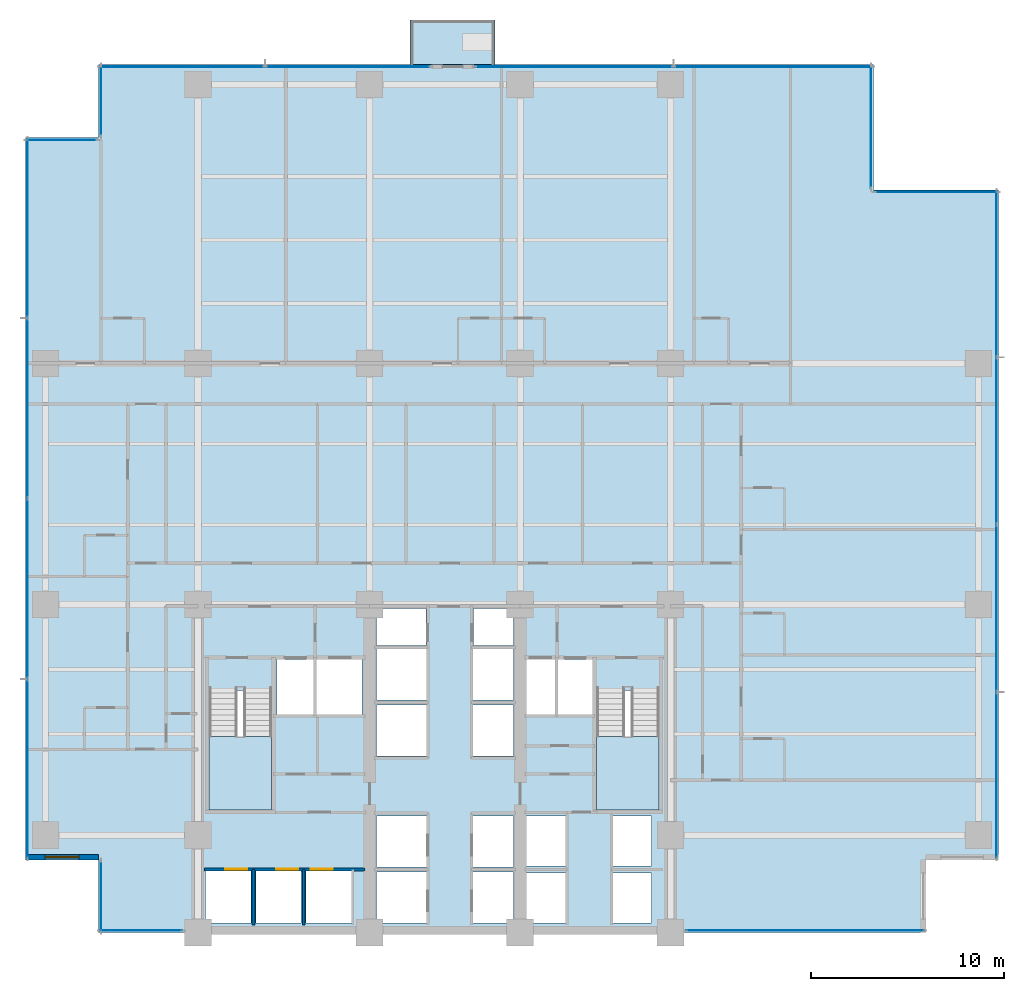
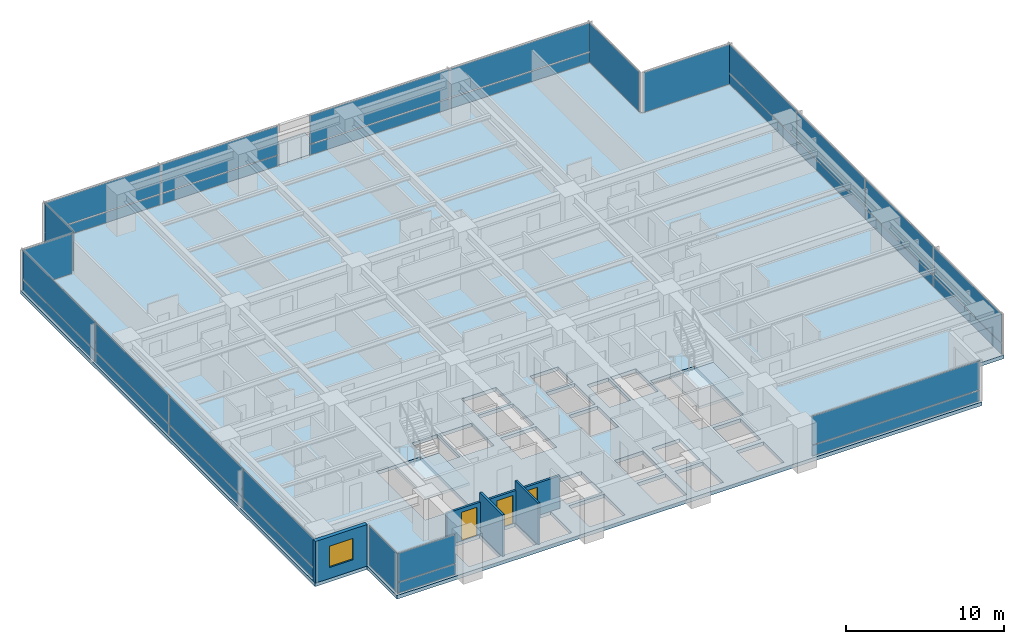
# One storey, part 6 of 17: 33 plates, 4 slabs, 4 walls, 3 doors, 1 window, 4 openings, 13 elements without a shape of their own.
"""IFC4 building model written with IfcOpenShell, lengths in metres."""

from ifc_helpers import new_model, si_unit, direction, frame, frame_2d, origin, origin_2d, place, context, subcontext, project, spatial, polyline, rectangle, outline, extrude, material, layer, layer_set, type_object, element, fill, aggregate, save


model = new_model("IFC4")

# Units and contexts
model_context = context("Model", 3, precision=1e-05, world=origin(), true_north=direction((0.0, 1.0)))
body_context = subcontext(model_context, "Body", "Model", "MODEL_VIEW")
ifc_project = project(units=[si_unit("LENGTHUNIT", "METRE"), si_unit("AREAUNIT", "SQUARE_METRE"), si_unit("VOLUMEUNIT", "CUBIC_METRE"), si_unit("PLANEANGLEUNIT", "RADIAN"), si_unit("MASSUNIT", "GRAM", prefix="KILO")], contexts=[model_context])

# Site, building, storey
site_placement = place(None, origin())
site = spatial("IfcSite", under=ifc_project, at=site_placement, CompositionType="ELEMENT")
building_placement = place(site_placement, origin())
building = spatial("IfcBuilding", under=site, at=building_placement, Name="Qalmaran Belvedere Hotel", CompositionType="ELEMENT")
storey_placement = place(building_placement, frame((0.0, 0.0, 47.39990234375)))
storey = spatial("IfcBuildingStorey", under=building, at=storey_placement, Name="L11", CompositionType="ELEMENT", Elevation=47.39990234375)

# Curtain wall, plate
ifc_material_1 = material(Name="Anodised Bronze Aluminium", Category="aluminium")
ifc_layer_1 = layer(ifc_material_1, 0.2099609375, Name="Anodised Bronze Aluminium")
ifc_layer_set_1 = layer_set([ifc_layer_1], Name="Anodised Bronze Aluminium")
curtain_wall_type = type_object("IfcCurtainWallType", Name="CW2-TOWER-LOWER", PredefinedType="NOTDEFINED", material=ifc_layer_set_1)
curtain_wall_1_placement = place(storey_placement, origin())
curtain_wall_1 = element("IfcCurtainWall", 1, at=curtain_wall_1_placement, inside=storey, type_object=curtain_wall_type, Name="L11 Curtain Wall CW2", PredefinedType="NOTDEFINED")
ifc_material_2 = material(Name="Anodised Bronze Spandrel Panel")
ifc_layer_2 = layer(ifc_material_2, 0.035888671875, Name="Anodised Bronze Spandrel Panel")
ifc_layer_set_2 = layer_set([ifc_layer_2], Name="Anodised Bronze Spandrel Panel")
plate_type_1 = type_object("IfcPlateType", Name="CWP-SPANDREL-36", PredefinedType="CURTAIN_PANEL", material=ifc_layer_set_2)
plate_1_placement = place(storey_placement, frame((17.35498046875, 3.6201171875, 0.0703125), z_axis=(0.0, 0.0, 1.0), x_axis=(1.0, 0.0, 0.0)))
plate_1 = element("IfcPlate", 2, at=plate_1_placement, type_object=plate_type_1, Name="CW2 panel 1.1", PredefinedType="CURTAIN_PANEL", context=body_context, shape_type="SweptSolid", body=[
    extrude(rectangle(XDim=4.260009765625, YDim=0.035888671875, at=origin_2d()), origin(), (0.0, 0.0, 1.0), 0.796630859375),
])

curtain_wall_2_placement = place(storey_placement, origin())
curtain_wall_2 = element("IfcCurtainWall", 3, at=curtain_wall_2_placement, inside=storey, type_object=curtain_wall_type, Name="L11 Curtain Wall CW2", PredefinedType="NOTDEFINED")
plate_2_placement = place(storey_placement, frame((51.77001953125, 3.6201171875, 0.0703125), z_axis=(0.0, 0.0, 1.0), x_axis=(1.0, 0.0, 0.0)))
plate_2 = element("IfcPlate", 4, at=plate_2_placement, type_object=plate_type_1, Name="CW2 panel 1.1", PredefinedType="CURTAIN_PANEL", context=body_context, shape_type="SweptSolid", body=[
    extrude(rectangle(XDim=12.31005859375, YDim=0.035888671875, at=origin_2d()), origin(), (0.0, 0.0, 1.0), 0.796630859375),
])

# Curtain wall, plates
curtain_wall_3_placement = place(storey_placement, origin())
curtain_wall_3 = element("IfcCurtainWall", 5, at=curtain_wall_3_placement, inside=storey, type_object=curtain_wall_type, Name="L11 Curtain Wall CW2", PredefinedType="NOTDEFINED")
plate_3_placement = place(storey_placement, frame((61.679931640625, 11.65625, 0.0703125), z_axis=(0.0, 0.0, 1.0), x_axis=(0.0, 1.0, 0.0)))
plate_3 = element("IfcPlate", 6, at=plate_3_placement, type_object=plate_type_1, Name="CW2 panel 1.1", PredefinedType="CURTAIN_PANEL", context=body_context, shape_type="SweptSolid", body=[
    extrude(rectangle(XDim=8.5625, YDim=0.035888671875, at=origin_2d()), origin(), (0.0, 0.0, 1.0), 0.796630859375),
])
plate_4_placement = place(storey_placement, frame((61.679931640625, 20.3125, 0.0703125), z_axis=(0.0, 0.0, 1.0), x_axis=(0.0, 1.0, 0.0)))
plate_4 = element("IfcPlate", 7, at=plate_4_placement, type_object=plate_type_1, Name="CW2 panel 2.1", PredefinedType="CURTAIN_PANEL", context=body_context, shape_type="SweptSolid", body=[
    extrude(rectangle(XDim=8.60009765625, YDim=0.035888671875, at=origin_2d()), origin(), (0.0, 0.0, 1.0), 0.796630859375),
])
plate_5_placement = place(storey_placement, frame((61.679931640625, 28.987548828125, 0.0703125), z_axis=(0.0, 0.0, 1.0), x_axis=(0.0, 1.0, 0.0)))
plate_5 = element("IfcPlate", 8, at=plate_5_placement, type_object=plate_type_1, Name="CW2 panel 3.1", PredefinedType="CURTAIN_PANEL", context=body_context, shape_type="SweptSolid", body=[
    extrude(rectangle(XDim=8.60009765625, YDim=0.035888671875, at=origin_2d()), origin(), (0.0, 0.0, 1.0), 0.796630859375),
])
plate_6_placement = place(storey_placement, frame((61.679931640625, 37.643798828125, 0.0703125), z_axis=(0.0, 0.0, 1.0), x_axis=(0.0, 1.0, 0.0)))
plate_6 = element("IfcPlate", 9, at=plate_6_placement, type_object=plate_type_1, Name="CW2 panel 4.1", PredefinedType="CURTAIN_PANEL", context=body_context, shape_type="SweptSolid", body=[
    extrude(rectangle(XDim=8.5625, YDim=0.035888671875, at=origin_2d()), origin(), (0.0, 0.0, 1.0), 0.796630859375),
])

curtain_wall_4_placement = place(storey_placement, origin())
curtain_wall_4 = element("IfcCurtainWall", 10, at=curtain_wall_4_placement, inside=storey, type_object=curtain_wall_type, Name="L11 Curtain Wall CW2", PredefinedType="NOTDEFINED")
plate_7_placement = place(storey_placement, frame((28.06884765625, 48.3798828125, 0.0703125), z_axis=(0.0, 0.0, 1.0), x_axis=(-1.0, 0.0, 0.0)))
plate_7 = element("IfcPlate", 11, at=plate_7_placement, type_object=plate_type_1, Name="CW2 panel 1.1", PredefinedType="CURTAIN_PANEL", context=body_context, shape_type="SweptSolid", body=[
    extrude(rectangle(XDim=8.512451171875, YDim=0.035888671875, at=origin_2d()), origin(), (0.0, 0.0, 1.0), 0.796630859375),
])
plate_8_placement = place(storey_placement, frame((19.481201171875, 48.3798828125, 0.0703125), z_axis=(0.0, 0.0, 1.0), x_axis=(-1.0, 0.0, 0.0)))
plate_8 = element("IfcPlate", 12, at=plate_8_placement, type_object=plate_type_1, Name="CW2 panel 2.1", PredefinedType="CURTAIN_PANEL", context=body_context, shape_type="SweptSolid", body=[
    extrude(rectangle(XDim=8.512451171875, YDim=0.035888671875, at=origin_2d()), origin(), (0.0, 0.0, 1.0), 0.796630859375),
])

curtain_wall_5_placement = place(storey_placement, origin())
curtain_wall_5 = element("IfcCurtainWall", 13, at=curtain_wall_5_placement, inside=storey, type_object=curtain_wall_type, Name="L11 Curtain Wall CW2", PredefinedType="NOTDEFINED")
plate_9_placement = place(storey_placement, frame((50.106201171875, 48.3798828125, 0.0703125), z_axis=(0.0, 0.0, 1.0), x_axis=(-1.0, 0.0, 0.0)))
plate_9 = element("IfcPlate", 14, at=plate_9_placement, type_object=plate_type_1, Name="CW2 panel 1.1", PredefinedType="CURTAIN_PANEL", context=body_context, shape_type="SweptSolid", body=[
    extrude(rectangle(XDim=10.237548828125, YDim=0.035888671875, at=origin_2d()), origin(), (0.0, 0.0, 1.0), 0.796630859375),
])
plate_10_placement = place(storey_placement, frame((39.793701171875, 48.3798828125, 0.0703125), z_axis=(0.0, 0.0, 1.0), x_axis=(-1.0, 0.0, 0.0)))
plate_10 = element("IfcPlate", 15, at=plate_10_placement, type_object=plate_type_1, Name="CW2 panel 2.1", PredefinedType="CURTAIN_PANEL", context=body_context, shape_type="SweptSolid", body=[
    extrude(rectangle(XDim=10.237548828125, YDim=0.035888671875, at=origin_2d()), origin(), (0.0, 0.0, 1.0), 0.796630859375),
])

curtain_wall_6_placement = place(storey_placement, origin())
curtain_wall_6 = element("IfcCurtainWall", 16, at=curtain_wall_6_placement, inside=storey, type_object=curtain_wall_type, Name="L11 Curtain Wall CW2", PredefinedType="NOTDEFINED")
plate_11_placement = place(storey_placement, frame((11.469970703125, 40.00634765625, 0.0703125), z_axis=(0.0, 0.0, 1.0), x_axis=(0.0, -1.0, 0.0)))
plate_11 = element("IfcPlate", 17, at=plate_11_placement, type_object=plate_type_1, Name="CW2 panel 1.1", PredefinedType="CURTAIN_PANEL", context=body_context, shape_type="SweptSolid", body=[
    extrude(rectangle(XDim=9.237548828125, YDim=0.035888671875, at=origin_2d()), origin(), (0.0, 0.0, 1.0), 0.796630859375),
])
plate_12_placement = place(storey_placement, frame((11.469970703125, 30.675048828125, 0.0703125), z_axis=(0.0, 0.0, 1.0), x_axis=(0.0, -1.0, 0.0)))
plate_12 = element("IfcPlate", 18, at=plate_12_placement, type_object=plate_type_1, Name="CW2 panel 2.1", PredefinedType="CURTAIN_PANEL", context=body_context, shape_type="SweptSolid", body=[
    extrude(rectangle(XDim=9.27490234375, YDim=0.035888671875, at=origin_2d()), origin(), (0.0, 0.0, 1.0), 0.796630859375),
])
plate_13_placement = place(storey_placement, frame((11.469970703125, 21.324951171875, 0.0703125), z_axis=(0.0, 0.0, 1.0), x_axis=(0.0, -1.0, 0.0)))
plate_13 = element("IfcPlate", 19, at=plate_13_placement, type_object=plate_type_1, Name="CW2 panel 3.1", PredefinedType="CURTAIN_PANEL", context=body_context, shape_type="SweptSolid", body=[
    extrude(rectangle(XDim=9.27490234375, YDim=0.035888671875, at=origin_2d()), origin(), (0.0, 0.0, 1.0), 0.796630859375),
])
plate_14_placement = place(storey_placement, frame((11.469970703125, 11.99365234375, 0.0703125), z_axis=(0.0, 0.0, 1.0), x_axis=(0.0, -1.0, 0.0)))
plate_14 = element("IfcPlate", 20, at=plate_14_placement, type_object=plate_type_1, Name="CW2 panel 4.1", PredefinedType="CURTAIN_PANEL", context=body_context, shape_type="SweptSolid", body=[
    extrude(rectangle(XDim=9.237548828125, YDim=0.035888671875, at=origin_2d()), origin(), (0.0, 0.0, 1.0), 0.796630859375),
])

# Plate
ifc_material_3 = material(Name="Solar-Control Double Glazing", Category="glass")
ifc_layer_3 = layer(ifc_material_3, 0.028076171875, Name="Solar-Control Double Glazing")
ifc_layer_set_3 = layer_set([ifc_layer_3], Name="Solar-Control Double Glazing")
plate_type_2 = type_object("IfcPlateType", Name="CWP-VISION-28", PredefinedType="CURTAIN_PANEL", material=ifc_layer_set_3)
plate_15_placement = place(storey_placement, frame((17.35498046875, 3.6201171875, 0.936767578125), z_axis=(0.0, 0.0, 1.0), x_axis=(1.0, 0.0, 0.0)))
plate_15 = element("IfcPlate", 21, at=plate_15_placement, type_object=plate_type_2, Name="CW2 panel 1.2", PredefinedType="CURTAIN_PANEL", context=body_context, shape_type="SweptSolid", body=[
    extrude(rectangle(XDim=4.260009765625, YDim=0.028076171875, at=origin_2d()), origin(), (0.0, 0.0, 1.0), 2.21337890625),
])

aggregate(curtain_wall_1, [plate_1, plate_15])

plate_16_placement = place(storey_placement, frame((51.77001953125, 3.6201171875, 0.936767578125), z_axis=(0.0, 0.0, 1.0), x_axis=(1.0, 0.0, 0.0)))
plate_16 = element("IfcPlate", 22, at=plate_16_placement, type_object=plate_type_2, Name="CW2 panel 1.2", PredefinedType="CURTAIN_PANEL", context=body_context, shape_type="SweptSolid", body=[
    extrude(rectangle(XDim=12.31005859375, YDim=0.028076171875, at=origin_2d()), origin(), (0.0, 0.0, 1.0), 2.21337890625),
])

aggregate(curtain_wall_2, [plate_2, plate_16])

plate_17_placement = place(storey_placement, frame((61.679931640625, 11.65625, 0.936767578125), z_axis=(0.0, 0.0, 1.0), x_axis=(0.0, 1.0, 0.0)))
plate_17 = element("IfcPlate", 23, at=plate_17_placement, type_object=plate_type_2, Name="CW2 panel 1.2", PredefinedType="CURTAIN_PANEL", context=body_context, shape_type="SweptSolid", body=[
    extrude(rectangle(XDim=8.5625, YDim=0.028076171875, at=origin_2d()), origin(), (0.0, 0.0, 1.0), 2.21337890625),
])

plate_18_placement = place(storey_placement, frame((61.679931640625, 20.3125, 0.936767578125), z_axis=(0.0, 0.0, 1.0), x_axis=(0.0, 1.0, 0.0)))
plate_18 = element("IfcPlate", 24, at=plate_18_placement, type_object=plate_type_2, Name="CW2 panel 2.2", PredefinedType="CURTAIN_PANEL", context=body_context, shape_type="SweptSolid", body=[
    extrude(rectangle(XDim=8.60009765625, YDim=0.028076171875, at=origin_2d()), origin(), (0.0, 0.0, 1.0), 2.21337890625),
])

plate_19_placement = place(storey_placement, frame((61.679931640625, 28.987548828125, 0.936767578125), z_axis=(0.0, 0.0, 1.0), x_axis=(0.0, 1.0, 0.0)))
plate_19 = element("IfcPlate", 25, at=plate_19_placement, type_object=plate_type_2, Name="CW2 panel 3.2", PredefinedType="CURTAIN_PANEL", context=body_context, shape_type="SweptSolid", body=[
    extrude(rectangle(XDim=8.60009765625, YDim=0.028076171875, at=origin_2d()), origin(), (0.0, 0.0, 1.0), 2.21337890625),
])

plate_20_placement = place(storey_placement, frame((61.679931640625, 37.643798828125, 0.936767578125), z_axis=(0.0, 0.0, 1.0), x_axis=(0.0, 1.0, 0.0)))
plate_20 = element("IfcPlate", 26, at=plate_20_placement, type_object=plate_type_2, Name="CW2 panel 4.2", PredefinedType="CURTAIN_PANEL", context=body_context, shape_type="SweptSolid", body=[
    extrude(rectangle(XDim=8.5625, YDim=0.028076171875, at=origin_2d()), origin(), (0.0, 0.0, 1.0), 2.21337890625),
])

aggregate(curtain_wall_3, [plate_3, plate_17, plate_4, plate_18, plate_5, plate_19, plate_6, plate_20])

# Curtain wall, plate
curtain_wall_7_placement = place(storey_placement, origin())
curtain_wall_7 = element("IfcCurtainWall", 27, at=curtain_wall_7_placement, inside=storey, type_object=curtain_wall_type, Name="L11 Curtain Wall CW2", PredefinedType="NOTDEFINED")
plate_21_placement = place(storey_placement, frame((58.550048828125, 41.8798828125, 0.070068359375), z_axis=(0.0, 0.0, 1.0), x_axis=(-1.0, 0.0, 0.0)))
plate_21 = element("IfcPlate", 28, at=plate_21_placement, type_object=plate_type_2, Name="CW2 panel 1.1", PredefinedType="CURTAIN_PANEL", context=body_context, shape_type="SweptSolid", body=[
    extrude(rectangle(XDim=6.35009765625, YDim=0.028076171875, at=origin_2d()), origin(), (0.0, 0.0, 1.0), 3.080078125),
])
aggregate(curtain_wall_7, [plate_21])

curtain_wall_8_placement = place(storey_placement, origin())
curtain_wall_8 = element("IfcCurtainWall", 29, at=curtain_wall_8_placement, inside=storey, type_object=curtain_wall_type, Name="L11 Curtain Wall CW2", PredefinedType="NOTDEFINED")
plate_22_placement = place(storey_placement, frame((55.179931640625, 45.25, 0.070068359375), z_axis=(0.0, 0.0, 1.0), x_axis=(0.0, 1.0, 0.0)))
plate_22 = element("IfcPlate", 30, at=plate_22_placement, type_object=plate_type_2, Name="CW2 panel 1.1", PredefinedType="CURTAIN_PANEL", context=body_context, shape_type="SweptSolid", body=[
    extrude(rectangle(XDim=6.35009765625, YDim=0.028076171875, at=origin_2d()), origin(), (0.0, 0.0, 1.0), 3.080078125),
])
aggregate(curtain_wall_8, [plate_22])

# Plate
plate_23_placement = place(storey_placement, frame((28.06884765625, 48.3798828125, 0.936767578125), z_axis=(0.0, 0.0, 1.0), x_axis=(-1.0, 0.0, 0.0)))
plate_23 = element("IfcPlate", 31, at=plate_23_placement, type_object=plate_type_2, Name="CW2 panel 1.2", PredefinedType="CURTAIN_PANEL", context=body_context, shape_type="SweptSolid", body=[
    extrude(rectangle(XDim=8.512451171875, YDim=0.028076171875, at=origin_2d()), origin(), (0.0, 0.0, 1.0), 2.21337890625),
])

plate_24_placement = place(storey_placement, frame((19.481201171875, 48.3798828125, 0.936767578125), z_axis=(0.0, 0.0, 1.0), x_axis=(-1.0, 0.0, 0.0)))
plate_24 = element("IfcPlate", 32, at=plate_24_placement, type_object=plate_type_2, Name="CW2 panel 2.2", PredefinedType="CURTAIN_PANEL", context=body_context, shape_type="SweptSolid", body=[
    extrude(rectangle(XDim=8.512451171875, YDim=0.028076171875, at=origin_2d()), origin(), (0.0, 0.0, 1.0), 2.21337890625),
])

aggregate(curtain_wall_4, [plate_7, plate_23, plate_8, plate_24])

plate_25_placement = place(storey_placement, frame((50.106201171875, 48.3798828125, 0.936767578125), z_axis=(0.0, 0.0, 1.0), x_axis=(-1.0, 0.0, 0.0)))
plate_25 = element("IfcPlate", 33, at=plate_25_placement, type_object=plate_type_2, Name="CW2 panel 1.2", PredefinedType="CURTAIN_PANEL", context=body_context, shape_type="SweptSolid", body=[
    extrude(rectangle(XDim=10.237548828125, YDim=0.028076171875, at=origin_2d()), origin(), (0.0, 0.0, 1.0), 2.21337890625),
])

plate_26_placement = place(storey_placement, frame((39.793701171875, 48.3798828125, 0.936767578125), z_axis=(0.0, 0.0, 1.0), x_axis=(-1.0, 0.0, 0.0)))
plate_26 = element("IfcPlate", 34, at=plate_26_placement, type_object=plate_type_2, Name="CW2 panel 2.2", PredefinedType="CURTAIN_PANEL", context=body_context, shape_type="SweptSolid", body=[
    extrude(rectangle(XDim=10.237548828125, YDim=0.028076171875, at=origin_2d()), origin(), (0.0, 0.0, 1.0), 2.21337890625),
])

aggregate(curtain_wall_5, [plate_9, plate_25, plate_10, plate_26])

# Curtain wall, plate
curtain_wall_9_placement = place(storey_placement, origin())
curtain_wall_9 = element("IfcCurtainWall", 35, at=curtain_wall_9_placement, inside=storey, type_object=curtain_wall_type, Name="L11 Curtain Wall CW2", PredefinedType="NOTDEFINED")
plate_27_placement = place(storey_placement, frame((15.27001953125, 46.60009765625, 0.070068359375), z_axis=(0.0, 0.0, 1.0), x_axis=(0.0, -1.0, 0.0)))
plate_27 = element("IfcPlate", 36, at=plate_27_placement, type_object=plate_type_2, Name="CW2 panel 1.1", PredefinedType="CURTAIN_PANEL", context=body_context, shape_type="SweptSolid", body=[
    extrude(rectangle(XDim=3.64990234375, YDim=0.028076171875, at=origin_2d()), origin(), (0.0, 0.0, 1.0), 3.080078125),
])
aggregate(curtain_wall_9, [plate_27])

curtain_wall_10_placement = place(storey_placement, origin())
curtain_wall_10 = element("IfcCurtainWall", 37, at=curtain_wall_10_placement, inside=storey, type_object=curtain_wall_type, Name="L11 Curtain Wall CW2", PredefinedType="NOTDEFINED")
plate_28_placement = place(storey_placement, frame((13.25, 44.580078125, 0.070068359375), z_axis=(0.0, 0.0, 1.0), x_axis=(-1.0, 0.0, 0.0)))
plate_28 = element("IfcPlate", 38, at=plate_28_placement, type_object=plate_type_2, Name="CW2 panel 1.1", PredefinedType="CURTAIN_PANEL", context=body_context, shape_type="SweptSolid", body=[
    extrude(rectangle(XDim=3.64990234375, YDim=0.028076171875, at=origin_2d()), origin(), (0.0, 0.0, 1.0), 3.080078125),
])
aggregate(curtain_wall_10, [plate_28])

# Plate
plate_29_placement = place(storey_placement, frame((11.469970703125, 40.00634765625, 0.936767578125), z_axis=(0.0, 0.0, 1.0), x_axis=(0.0, -1.0, 0.0)))
plate_29 = element("IfcPlate", 39, at=plate_29_placement, type_object=plate_type_2, Name="CW2 panel 1.2", PredefinedType="CURTAIN_PANEL", context=body_context, shape_type="SweptSolid", body=[
    extrude(rectangle(XDim=9.237548828125, YDim=0.028076171875, at=origin_2d()), origin(), (0.0, 0.0, 1.0), 2.21337890625),
])

plate_30_placement = place(storey_placement, frame((11.469970703125, 30.675048828125, 0.936767578125), z_axis=(0.0, 0.0, 1.0), x_axis=(0.0, -1.0, 0.0)))
plate_30 = element("IfcPlate", 40, at=plate_30_placement, type_object=plate_type_2, Name="CW2 panel 2.2", PredefinedType="CURTAIN_PANEL", context=body_context, shape_type="SweptSolid", body=[
    extrude(rectangle(XDim=9.27490234375, YDim=0.028076171875, at=origin_2d()), origin(), (0.0, 0.0, 1.0), 2.21337890625),
])

plate_31_placement = place(storey_placement, frame((11.469970703125, 21.324951171875, 0.936767578125), z_axis=(0.0, 0.0, 1.0), x_axis=(0.0, -1.0, 0.0)))
plate_31 = element("IfcPlate", 41, at=plate_31_placement, type_object=plate_type_2, Name="CW2 panel 3.2", PredefinedType="CURTAIN_PANEL", context=body_context, shape_type="SweptSolid", body=[
    extrude(rectangle(XDim=9.27490234375, YDim=0.028076171875, at=origin_2d()), origin(), (0.0, 0.0, 1.0), 2.21337890625),
])

plate_32_placement = place(storey_placement, frame((11.469970703125, 11.99365234375, 0.936767578125), z_axis=(0.0, 0.0, 1.0), x_axis=(0.0, -1.0, 0.0)))
plate_32 = element("IfcPlate", 42, at=plate_32_placement, type_object=plate_type_2, Name="CW2 panel 4.2", PredefinedType="CURTAIN_PANEL", context=body_context, shape_type="SweptSolid", body=[
    extrude(rectangle(XDim=9.237548828125, YDim=0.028076171875, at=origin_2d()), origin(), (0.0, 0.0, 1.0), 2.21337890625),
])

aggregate(curtain_wall_6, [plate_11, plate_29, plate_12, plate_30, plate_13, plate_31, plate_14, plate_32])

# Curtain wall, plate
curtain_wall_11_placement = place(storey_placement, origin())
curtain_wall_11 = element("IfcCurtainWall", 43, at=curtain_wall_11_placement, inside=storey, type_object=curtain_wall_type, Name="L11 Curtain Wall CW2", PredefinedType="NOTDEFINED")
plate_33_placement = place(storey_placement, frame((15.27001953125, 5.39990234375, 0.070068359375), z_axis=(0.0, 0.0, 1.0), x_axis=(0.0, -1.0, 0.0)))
plate_33 = element("IfcPlate", 44, at=plate_33_placement, type_object=plate_type_2, Name="CW2 panel 1.1", PredefinedType="CURTAIN_PANEL", context=body_context, shape_type="SweptSolid", body=[
    extrude(rectangle(XDim=3.64990234375, YDim=0.028076171875, at=origin_2d()), origin(), (0.0, 0.0, 1.0), 3.080078125),
])
aggregate(curtain_wall_11, [plate_33])

# Slab
ifc_material_4 = material(Name="Concrete C40/50", Category="concrete")
ifc_layer_4 = layer(ifc_material_4, 0.219970703125, Name="Concrete C40/50")
ifc_layer_set_4 = layer_set([ifc_layer_4], Name="Concrete C40/50")
slab_type_1 = type_object("IfcSlabType", Name="SLB-BAL-220", PredefinedType="USERDEFINED", material=ifc_layer_set_4)
slab_1_placement = place(storey_placement, frame((0.0, 0.0, -0.219970703125)))
element("IfcSlab", 45, at=slab_1_placement, inside=storey, type_object=slab_type_1, Name="L11 Planted Tree Balcony Slab 1", ObjectType="BALCONY", PredefinedType="USERDEFINED", context=body_context, shape_type="SweptSolid", body=[
    extrude(outline(polyline([(31.300048828125, 48.5), (35.699951171875, 48.5), (35.699951171875, 50.800048828125), (31.300048828125, 50.800048828125), (31.300048828125, 48.5)])), origin(), (0.0, 0.0, 1.0), 0.219970703125),
])

# Stair, slab
stair_type_1 = type_object("IfcStairType", Name="STR-ST-1-1450-R1750", PredefinedType="HALF_TURN_STAIR", material=ifc_material_4)
stair_1_placement = place(storey_placement, origin())
stair_1 = element("IfcStair", 46, at=stair_1_placement, inside=storey, type_object=stair_type_1, Name="L11 West Core Exit Stair ST-1", PredefinedType="HALF_TURN_STAIR")
ifc_layer_5 = layer(ifc_material_4, 0.199951171875, Name="Concrete C40/50")
ifc_layer_set_5 = layer_set([ifc_layer_5], Name="Concrete C40/50")
slab_type_2 = type_object("IfcSlabType", Name="SLB-STAIR-LANDING-200", PredefinedType="LANDING", material=ifc_layer_set_5)
slab_2_placement = place(storey_placement, frame((0.0, 0.0, 1.550048828125)))
slab_2 = element("IfcSlab", 47, at=slab_2_placement, type_object=slab_type_2, Name="ST-1 landing 1", PredefinedType="LANDING", context=body_context, shape_type="SweptSolid", body=[
    extrude(outline(polyline([(20.8798828125, 13.669921875), (20.8798828125, 9.85009765625), (24.1201171875, 9.85009765625), (24.1201171875, 13.669921875), (20.8798828125, 13.669921875)])), origin(), (0.0, 0.0, 1.0), 0.199951171875),
])
aggregate(stair_1, [slab_2])

stair_type_2 = type_object("IfcStairType", Name="STR-ST-2-1450-R1750", PredefinedType="HALF_TURN_STAIR", material=ifc_material_4)
stair_2_placement = place(storey_placement, origin())
stair_2 = element("IfcStair", 48, at=stair_2_placement, inside=storey, type_object=stair_type_2, Name="L11 East Core Exit Stair ST-2", PredefinedType="HALF_TURN_STAIR")
slab_3_placement = place(storey_placement, frame((0.0, 0.0, 1.550048828125)))
slab_3 = element("IfcSlab", 49, at=slab_3_placement, type_object=slab_type_2, Name="ST-2 landing 1", PredefinedType="LANDING", context=body_context, shape_type="SweptSolid", body=[
    extrude(outline(polyline([(40.9599609375, 13.669921875), (40.9599609375, 9.85009765625), (44.199951171875, 9.85009765625), (44.199951171875, 13.669921875), (40.9599609375, 13.669921875)])), origin(), (0.0, 0.0, 1.0), 0.199951171875),
])
aggregate(stair_2, [slab_3])

# Slab
ifc_layer_6 = layer(ifc_material_4, 0.280029296875, Name="Concrete C40/50")
ifc_layer_set_6 = layer_set([ifc_layer_6], Name="Concrete C40/50")
slab_type_3 = type_object("IfcSlabType", Name="SLB-Z1-280", PredefinedType="FLOOR", material=ifc_layer_set_6)
slab_4_placement = place(storey_placement, frame((0.0, 0.0, -0.27978515625)))
element("IfcSlab", 50, at=slab_4_placement, inside=storey, type_object=slab_type_3, Name="L11 Structural Floor Slab", PredefinedType="FLOOR", context=body_context, shape_type="SweptSolid", body=[
    extrude(outline(polyline([(15.14990234375, 3.5), (58.0, 3.5), (58.0, 7.300048828125), (61.800048828125, 7.300048828125), (61.800048828125, 42.0), (55.300048828125, 42.0), (55.300048828125, 48.5), (15.14990234375, 48.5), (15.14990234375, 44.699951171875), (11.35009765625, 44.699951171875), (11.35009765625, 7.300048828125), (15.14990234375, 7.300048828125), (15.14990234375, 3.5)]), holes=[polyline([(20.8798828125, 9.85009765625), (24.1201171875, 9.85009765625), (24.1201171875, 16.0400390625), (20.8798828125, 16.0400390625), (20.8798828125, 9.85009765625)]), polyline([(40.9599609375, 9.85009765625), (44.199951171875, 9.85009765625), (44.199951171875, 16.0400390625), (40.9599609375, 16.0400390625), (40.9599609375, 9.85009765625)]), polyline([(29.544921875, 4.0), (32.14990234375, 4.0), (32.14990234375, 6.64990234375), (29.544921875, 6.64990234375), (29.544921875, 4.0)]), polyline([(29.544921875, 6.89990234375), (32.14990234375, 6.89990234375), (32.14990234375, 9.550048828125), (29.544921875, 9.550048828125), (29.544921875, 6.89990234375)]), polyline([(34.550048828125, 4.0), (36.655029296875, 4.0), (36.655029296875, 6.64990234375), (34.550048828125, 6.64990234375), (34.550048828125, 4.0)]), polyline([(34.550048828125, 6.89990234375), (36.655029296875, 6.89990234375), (36.655029296875, 9.550048828125), (34.550048828125, 9.550048828125), (34.550048828125, 6.89990234375)]), polyline([(29.544921875, 12.64990234375), (32.14990234375, 12.64990234375), (32.14990234375, 15.300048828125), (29.544921875, 15.300048828125), (29.544921875, 12.64990234375)]), polyline([(29.544921875, 15.550048828125), (32.14990234375, 15.550048828125), (32.14990234375, 18.199951171875), (29.544921875, 18.199951171875), (29.544921875, 15.550048828125)]), polyline([(34.550048828125, 12.64990234375), (36.655029296875, 12.64990234375), (36.655029296875, 15.300048828125), (34.550048828125, 15.300048828125), (34.550048828125, 12.64990234375)]), polyline([(34.550048828125, 15.550048828125), (36.655029296875, 15.550048828125), (36.655029296875, 18.199951171875), (34.550048828125, 18.199951171875), (34.550048828125, 15.550048828125)]), polyline([(37.300048828125, 4.0), (39.35009765625, 4.0), (39.35009765625, 6.60009765625), (37.300048828125, 6.60009765625), (37.300048828125, 4.0)]), polyline([(37.300048828125, 6.949951171875), (39.35009765625, 6.949951171875), (39.35009765625, 9.550048828125), (37.300048828125, 9.550048828125), (37.300048828125, 6.949951171875)]), polyline([(41.800048828125, 4.0), (43.800048828125, 4.0), (43.800048828125, 6.60009765625), (41.800048828125, 6.60009765625), (41.800048828125, 4.0)]), polyline([(41.800048828125, 6.949951171875), (43.800048828125, 6.949951171875), (43.800048828125, 9.550048828125), (41.800048828125, 9.550048828125), (41.800048828125, 6.949951171875)]), polyline([(20.699951171875, 4.0), (23.050048828125, 4.0), (23.050048828125, 6.699951171875), (20.699951171875, 6.699951171875), (20.699951171875, 4.0)]), polyline([(23.300048828125, 4.0), (25.64990234375, 4.0), (25.64990234375, 6.699951171875), (23.300048828125, 6.699951171875), (23.300048828125, 4.0)]), polyline([(25.89990234375, 4.0), (28.25, 4.0), (28.25, 6.699951171875), (25.89990234375, 6.699951171875), (25.89990234375, 4.0)]), polyline([(24.39990234375, 14.800048828125), (26.300048828125, 14.800048828125), (26.300048828125, 17.64990234375), (24.39990234375, 17.64990234375), (24.39990234375, 14.800048828125)]), polyline([(38.949951171875, 14.800048828125), (40.820068359375, 14.800048828125), (40.820068359375, 17.64990234375), (38.949951171875, 17.64990234375), (38.949951171875, 14.800048828125)]), polyline([(26.449951171875, 14.800048828125), (28.800048828125, 14.800048828125), (28.800048828125, 17.64990234375), (26.449951171875, 17.64990234375), (26.449951171875, 14.800048828125)]), polyline([(37.25, 14.800048828125), (38.800048828125, 14.800048828125), (38.800048828125, 17.64990234375), (37.25, 17.64990234375), (37.25, 14.800048828125)]), polyline([(29.544921875, 18.3798828125), (32.1201171875, 18.3798828125), (32.1201171875, 20.300048828125), (29.544921875, 20.300048828125), (29.544921875, 18.3798828125)]), polyline([(34.580078125, 18.3798828125), (36.655029296875, 18.3798828125), (36.655029296875, 20.300048828125), (34.580078125, 20.300048828125), (34.580078125, 18.3798828125)])]), origin(), (0.0, 0.0, 1.0), 0.27978515625),
])

# Wall, opening, window
ifc_material_5 = material(Name="Anodised Bronze Cladding")
ifc_layer_7 = layer(ifc_material_5, 0.280029296875, Name="Anodised Bronze Cladding")
ifc_layer_set_7 = layer_set([ifc_layer_7], Name="Anodised Bronze Cladding")
wall_type_1 = type_object("IfcWallType", Name="WL-EXT-BRNZ-280", PredefinedType="SOLIDWALL", material=ifc_layer_set_7)
wall_1_placement = place(storey_placement, frame((11.35009765625, 7.419921875, 0.0), z_axis=(0.0, 0.0, 1.0), x_axis=(1.0, 0.0, 0.0)))
wall_1 = element("IfcWall", 51, at=wall_1_placement, inside=storey, type_object=wall_type_1, Name="L11 Corner Notch Wall 10", PredefinedType="SOLIDWALL", context=body_context, shape_type="SweptSolid", body=[
    extrude(rectangle(XDim=3.7998046875, YDim=0.280029296875, at=frame_2d((1.89990234375, 0.0))), origin(), (0.0, 0.0, 1.0), 3.22021484375),
])
opening_1_placement = place(wall_1_placement, frame((1.02490234375, 0.0, 0.85009765625)))
opening_1 = element("IfcOpeningElement", 52, at=opening_1_placement, cuts=wall_1, Name="Opening W-N17", PredefinedType="OPENING", context=body_context, shape_type="SweptSolid", body=[
    extrude(rectangle(XDim=1.75, YDim=1.64990234375, at=frame_2d((0.875, 0.824951171875))), frame((0.0, 0.14990234375, 0.0), z_axis=(0.0, -1.0, 0.0), x_axis=(1.0, 0.0, 0.0)), (0.0, 0.0, 1.0), 0.300048828125),
])
window_type = type_object("IfcWindowType", Name="WN-NTC-1750X1650", PartitioningType="SINGLE_PANEL", PredefinedType="WINDOW", material=ifc_material_3)
window_placement = place(opening_1_placement, origin())
window = element("IfcWindow", 53, at=window_placement, inside=storey, type_object=window_type, Name="L11 Corner Notch Window 10", OverallHeight=1.64990234375, OverallWidth=1.75, PartitioningType="SINGLE_PANEL", PredefinedType="WINDOW", context=body_context, shape_type="SweptSolid", body=[
    extrude(rectangle(XDim=1.75, YDim=1.64990234375, at=frame_2d((0.875, 0.824951171875))), frame((0.0, 0.030029296875, 0.0), z_axis=(0.0, -1.0, 0.0), x_axis=(1.0, 0.0, 0.0)), (0.0, 0.0, 1.0), 0.06005859375),
])
fill(opening_1, window)

# Walls
ifc_material_6 = material(Name="Gypsum Stud Partition")
ifc_layer_8 = layer(ifc_material_6, 0.14990234375, Name="Gypsum Stud Partition")
ifc_layer_set_8 = layer_set([ifc_layer_8], Name="Gypsum Stud Partition")
wall_type_2 = type_object("IfcWallType", Name="WL-INT-150-EI120", PredefinedType="PARTITIONING", material=ifc_layer_set_8)
for number, where, z_axis, x_axis, name in (
    (54, (23.179931640625, 3.89990234375, 0.0), (0.0, 0.0, 1.0), (0.0, 1.0, 0.0), "L11 Partition WL-POM1-L11"),
    (55, (25.780029296875, 3.89990234375, 0.0), (0.0, 0.0, 1.0), (0.0, 1.0, 0.0), "L11 Partition WL-POM2-L11"),
):
    element("IfcWall", number, at=place(storey_placement, frame(where, z_axis=z_axis, x_axis=x_axis)), inside=storey, type_object=wall_type_2, Name=name, PredefinedType="PARTITIONING", context=body_context, shape_type="SweptSolid", body=[
        extrude(rectangle(XDim=2.880126953125, YDim=0.14990234375, at=frame_2d((1.43994140625, 0.0))), origin(), (0.0, 0.0, 1.0), 3.22021484375),
    ])

# Wall, openings, doors
ifc_layer_9 = layer(ifc_material_6, 0.159912109375, Name="Gypsum Stud Partition")
ifc_layer_set_9 = layer_set([ifc_layer_9], Name="Gypsum Stud Partition")
wall_type_3 = type_object("IfcWallType", Name="WL-INT-160-EI120", PredefinedType="PARTITIONING", material=ifc_layer_set_9)
wall_2_placement = place(storey_placement, frame((20.64990234375, 6.780029296875, 0.0), z_axis=(0.0, 0.0, 1.0), x_axis=(1.0, 0.0, 0.0)))
wall_2 = element("IfcWall", 56, at=wall_2_placement, inside=storey, type_object=wall_type_3, Name="L11 Partition WL-POS-L11", PredefinedType="PARTITIONING", context=body_context, shape_type="SweptSolid", body=[
    extrude(rectangle(XDim=8.300048828125, YDim=0.159912109375, at=frame_2d((4.14990234375, 0.0))), origin(), (0.0, 0.0, 1.0), 2.510009765625),
])
opening_2_placement = place(wall_2_placement, frame((3.69482421875, 0.0, 0.0)))
opening_2 = element("IfcOpeningElement", 57, at=opening_2_placement, cuts=wall_2, Name="Opening LD-PO", PredefinedType="OPENING", context=body_context, shape_type="SweptSolid", body=[
    extrude(rectangle(XDim=1.14990234375, YDim=2.199951171875, at=frame_2d((0.574951171875, 1.10009765625))), frame((0.0, 0.08984375, 0.0), z_axis=(0.0, -1.0, 0.0), x_axis=(1.0, 0.0, 0.0)), (0.0, 0.0, 1.0), 0.179931640625),
])
opening_3_placement = place(wall_2_placement, frame((5.4921875, 0.0, 0.0)))
opening_3 = element("IfcOpeningElement", 58, at=opening_3_placement, cuts=wall_2, Name="Opening LD-PO", PredefinedType="OPENING", context=body_context, shape_type="SweptSolid", body=[
    extrude(rectangle(XDim=1.14990234375, YDim=2.199951171875, at=frame_2d((0.574951171875, 1.10009765625))), frame((0.0, 0.08984375, 0.0), z_axis=(0.0, -1.0, 0.0), x_axis=(1.0, 0.0, 0.0)), (0.0, 0.0, 1.0), 0.179931640625),
])
opening_4_placement = place(wall_2_placement, frame((1.058837890625, 0.0, 0.0)))
opening_4 = element("IfcOpeningElement", 59, at=opening_4_placement, cuts=wall_2, Name="Opening LD-PO", PredefinedType="OPENING", context=body_context, shape_type="SweptSolid", body=[
    extrude(rectangle(XDim=1.14990234375, YDim=2.199951171875, at=frame_2d((0.574951171875, 1.10009765625))), frame((0.0, 0.08984375, 0.0), z_axis=(0.0, -1.0, 0.0), x_axis=(1.0, 0.0, 0.0)), (0.0, 0.0, 1.0), 0.179931640625),
])
door_type = type_object("IfcDoorType", Name="DR-LIFT-PO-1150X2200", OperationType="DOUBLE_DOOR_SLIDING", PredefinedType="DOOR", material=ifc_material_1)
door_1_placement = place(opening_2_placement, origin())
door_1 = element("IfcDoor", 60, at=door_1_placement, inside=storey, type_object=door_type, Name="L11 PO1 Shuttle Landing Door", OperationType="DOUBLE_DOOR_SLIDING", OverallHeight=2.199951171875, OverallWidth=1.14990234375, PredefinedType="DOOR", context=body_context, shape_type="SweptSolid", body=[
    extrude(rectangle(XDim=1.14990234375, YDim=2.199951171875, at=frame_2d((0.574951171875, 1.10009765625))), frame((0.0, 0.02490234375, 0.0), z_axis=(0.0, -1.0, 0.0), x_axis=(1.0, 0.0, 0.0)), (0.0, 0.0, 1.0), 0.050048828125),
])
fill(opening_2, door_1)
door_2_placement = place(opening_3_placement, origin())
door_2 = element("IfcDoor", 61, at=door_2_placement, inside=storey, type_object=door_type, Name="L11 PO2 Shuttle Landing Door", OperationType="DOUBLE_DOOR_SLIDING", OverallHeight=2.199951171875, OverallWidth=1.14990234375, PredefinedType="DOOR", context=body_context, shape_type="SweptSolid", body=[
    extrude(rectangle(XDim=1.14990234375, YDim=2.199951171875, at=frame_2d((0.574951171875, 1.10009765625))), frame((0.0, 0.02490234375, 0.0), z_axis=(0.0, -1.0, 0.0), x_axis=(1.0, 0.0, 0.0)), (0.0, 0.0, 1.0), 0.050048828125),
])
fill(opening_3, door_2)
door_3_placement = place(opening_4_placement, origin())
door_3 = element("IfcDoor", 62, at=door_3_placement, inside=storey, type_object=door_type, Name="L11 PO3 Shuttle Landing Door", OperationType="DOUBLE_DOOR_SLIDING", OverallHeight=2.199951171875, OverallWidth=1.14990234375, PredefinedType="DOOR", context=body_context, shape_type="SweptSolid", body=[
    extrude(rectangle(XDim=1.14990234375, YDim=2.199951171875, at=frame_2d((0.574951171875, 1.10009765625))), frame((0.0, 0.02490234375, 0.0), z_axis=(0.0, -1.0, 0.0), x_axis=(1.0, 0.0, 0.0)), (0.0, 0.0, 1.0), 0.050048828125),
])
fill(opening_4, door_3)

save(model, "model.ifc")
